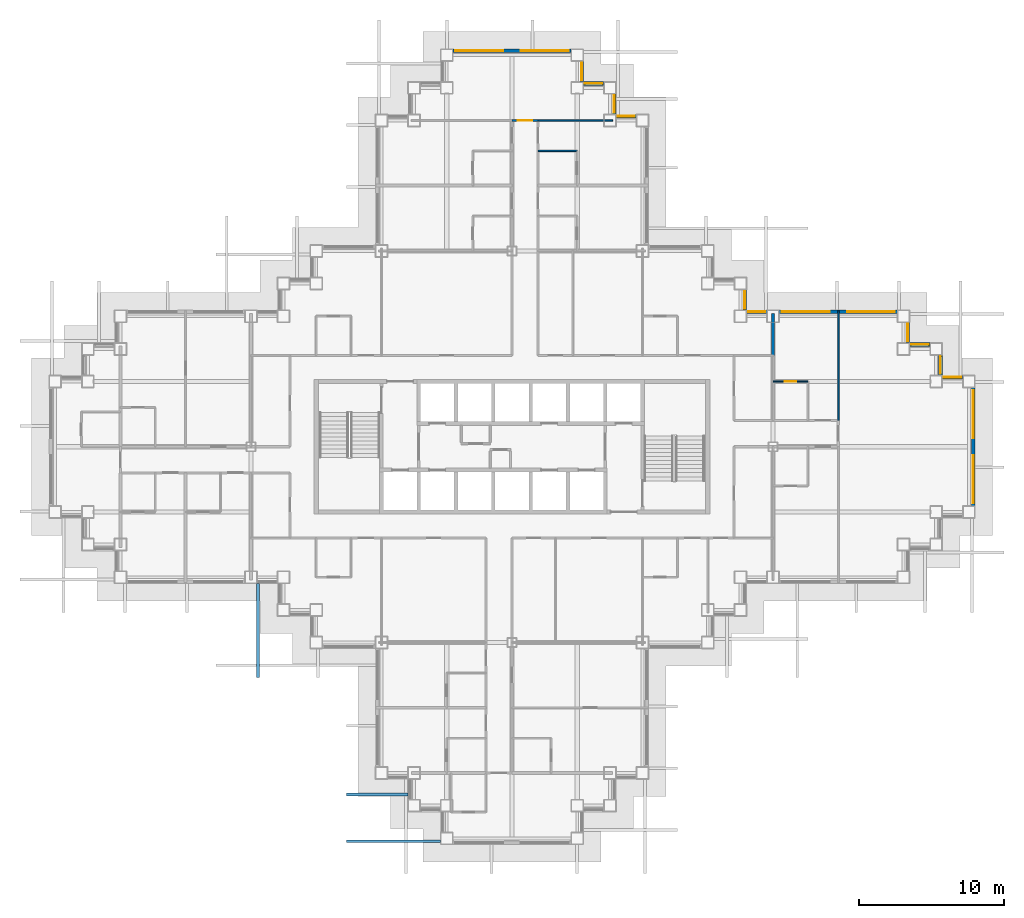
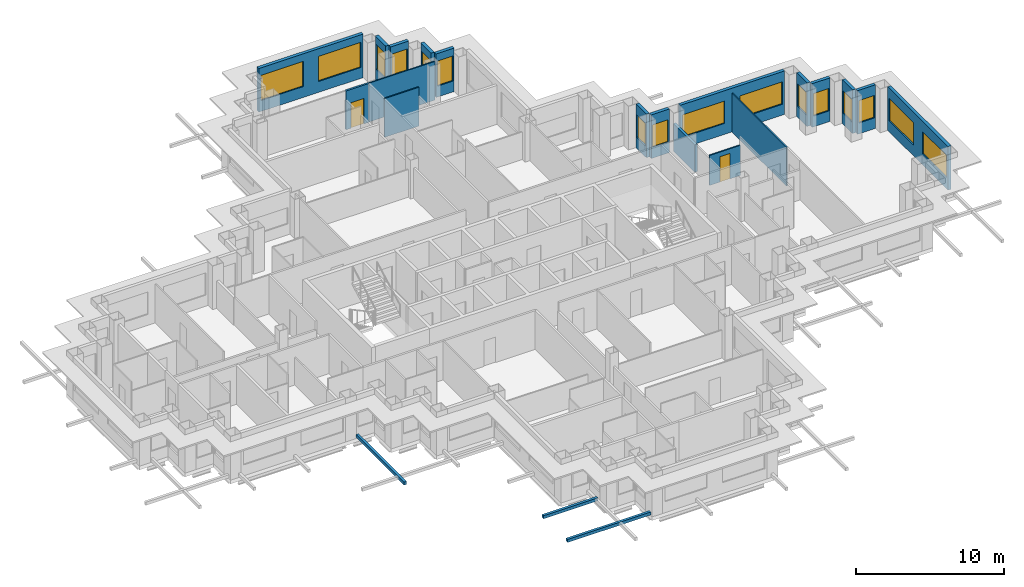
# One storey, part 11 of 17: 19 walls, 16 windows, 3 discrete accessories, 2 doors, 18 openings.
"""IFC4 building model written with IfcOpenShell, lengths in metres."""

from ifc_helpers import new_model, si_unit, direction, frame, frame_2d, origin, origin_2d, place, context, subcontext, project, spatial, rectangle, extrude, material, layer, layer_set, type_object, element, fill, save


model = new_model("IFC4")

# Units and contexts
model_context = context("Model", 3, precision=1e-05, world=origin(), true_north=direction((0.0, 1.0)))
body_context = subcontext(model_context, "Body", "Model", "MODEL_VIEW")
ifc_project = project(units=[si_unit("LENGTHUNIT", "METRE"), si_unit("AREAUNIT", "SQUARE_METRE"), si_unit("VOLUMEUNIT", "CUBIC_METRE"), si_unit("PLANEANGLEUNIT", "RADIAN"), si_unit("MASSUNIT", "GRAM", prefix="KILO")], contexts=[model_context])

# Site, building, storey
site_placement = place(None, origin())
site = spatial("IfcSite", under=ifc_project, at=site_placement, CompositionType="ELEMENT")
building_placement = place(site_placement, origin())
building = spatial("IfcBuilding", under=site, at=building_placement, Name="Caravel Reach Hotel and Residences", CompositionType="ELEMENT")
storey_placement = place(building_placement, frame((0.0, 0.0, 136.800048828125)))
storey = spatial("IfcBuildingStorey", under=building, at=storey_placement, Name="L34", CompositionType="ELEMENT", Elevation=136.800048828125)

# Wall, opening, door
ifc_material_1 = material(Name="Gypsum board on steel stud", Category="steel")
ifc_layer_1 = layer(ifc_material_1, 0.10009765625)
ifc_layer_set_1 = layer_set([ifc_layer_1], Name="Bathroom pod wall 100 mm")
wall_type_1 = type_object("IfcWallType", Name="Bathroom pod wall 100 mm", PredefinedType="PARTITIONING", material=ifc_layer_set_1)
wall_1_placement = place(storey_placement, frame((49.5, 31.5, 0.0), z_axis=(0.0, 0.0, 1.0), x_axis=(1.0, 0.0, 0.0)))
wall_1 = element("IfcWall", 1, at=wall_1_placement, inside=storey, type_object=wall_type_1, Name="L34 wall w091", PredefinedType="PARTITIONING", context=body_context, shape_type="SweptSolid", body=[
    extrude(rectangle(XDim=2.39990234375, YDim=0.10009765625, at=frame_2d((1.199951171875, 0.0))), origin(), (0.0, 0.0, 1.0), 2.47998046875),
])
opening_1_placement = place(wall_1_placement, frame((0.800048828125, 0.0, 0.0)))
opening_1 = element("IfcOpeningElement", 2, at=opening_1_placement, cuts=wall_1, Name="Opening D34-026", PredefinedType="OPENING", context=body_context, shape_type="SweptSolid", body=[
    extrude(rectangle(XDim=0.800048828125, YDim=2.10009765625, at=frame_2d((0.39990234375, 1.050048828125))), frame((0.0, 0.06005859375, 0.0), z_axis=(0.0, -1.0, 0.0), x_axis=(1.0, 0.0, 0.0)), (0.0, 0.0, 1.0), 0.1201171875),
])
ifc_material_2 = material(Name="Timber and steel door leaf", Category="steel")
door_type_1 = type_object("IfcDoorType", Name="Bathroom door 800 x 2100", OperationType="SINGLE_SWING_LEFT", PredefinedType="DOOR", material=ifc_material_2)
door_1_placement = place(opening_1_placement, origin())
door_1 = element("IfcDoor", 3, at=door_1_placement, inside=storey, type_object=door_type_1, Name="door D34-026", OperationType="SINGLE_SWING_RIGHT", OverallHeight=2.10009765625, OverallWidth=0.800048828125, PredefinedType="DOOR", context=body_context, shape_type="SweptSolid", body=[
    extrude(rectangle(XDim=0.800048828125, YDim=2.10009765625, at=frame_2d((0.39990234375, 1.050048828125))), frame((0.0, 0.02490234375, 0.0), z_axis=(0.0, -1.0, 0.0), x_axis=(1.0, 0.0, 0.0)), (0.0, 0.0, 1.0), 0.050048828125),
])
fill(opening_1, door_1)

# Wall
wall_2_placement = place(storey_placement, frame((33.300048828125, 47.39990234375, 0.0), z_axis=(0.0, 0.0, 1.0), x_axis=(1.0, 0.0, 0.0)))
element("IfcWall", 4, at=wall_2_placement, inside=storey, type_object=wall_type_1, Name="L34 wall w096", PredefinedType="PARTITIONING", context=body_context, shape_type="SweptSolid", body=[
    extrude(rectangle(XDim=2.699951171875, YDim=0.10009765625, at=frame_2d((1.35009765625, 0.0))), origin(), (0.0, 0.0, 1.0), 3.199951171875),
])

# Wall, opening, door
ifc_material_3 = material(Name="Gypsum board on steel stud, fire-rated", Category="steel")
ifc_layer_2 = layer(ifc_material_3, 0.14990234375)
ifc_layer_set_2 = layer_set([ifc_layer_2], Name="Corridor wall 150 mm EI 60")
wall_type_2 = type_object("IfcWallType", Name="Corridor wall 150 mm EI 60", PredefinedType="PARTITIONING", material=ifc_layer_set_2)
wall_3_placement = place(storey_placement, frame((31.5, 49.5, 0.0), z_axis=(0.0, 0.0, 1.0), x_axis=(1.0, 0.0, 0.0)))
wall_3 = element("IfcWall", 5, at=wall_3_placement, inside=storey, type_object=wall_type_2, Name="L34 wall w023", PredefinedType="PARTITIONING", context=body_context, shape_type="SweptSolid", body=[
    extrude(rectangle(XDim=1.800048828125, YDim=0.14990234375, at=frame_2d((0.89990234375, 0.0))), origin(), (0.0, 0.0, 1.0), 3.199951171875),
])
opening_2_placement = place(wall_3_placement, frame((0.39990234375, 0.0, 0.0)))
opening_2 = element("IfcOpeningElement", 6, at=opening_2_placement, cuts=wall_3, Name="Opening D34-045", PredefinedType="OPENING", context=body_context, shape_type="SweptSolid", body=[
    extrude(rectangle(XDim=1.0, YDim=2.10009765625, at=frame_2d((0.5, 1.050048828125))), frame((0.0, 0.0849609375, 0.0), z_axis=(0.0, -1.0, 0.0), x_axis=(1.0, 0.0, 0.0)), (0.0, 0.0, 1.0), 0.169921875),
])
ifc_material_4 = material(Name="Steel fire door leaf", Category="steel")
door_type_2 = type_object("IfcDoorType", Name="Guest room door 1000 x 2100 EI 30", OperationType="SINGLE_SWING_LEFT", PredefinedType="DOOR", material=ifc_material_4)
door_2_placement = place(opening_2_placement, origin())
door_2 = element("IfcDoor", 7, at=door_2_placement, inside=storey, type_object=door_type_2, Name="door D34-045", OperationType="SINGLE_SWING_RIGHT", OverallHeight=2.10009765625, OverallWidth=1.0, PredefinedType="DOOR", context=body_context, shape_type="SweptSolid", body=[
    extrude(rectangle(XDim=1.0, YDim=2.10009765625, at=frame_2d((0.5, 1.050048828125))), frame((0.0, 0.02490234375, 0.0), z_axis=(0.0, -1.0, 0.0), x_axis=(1.0, 0.0, 0.0)), (0.0, 0.0, 1.0), 0.050048828125),
])
fill(opening_2, door_2)

# Wall, openings, windows
ifc_material_5 = material(Name="Insulated rainscreen wall, aluminium cladding", Category="aluminium")
ifc_layer_3 = layer(ifc_material_5, 0.25)
ifc_layer_set_3 = layer_set([ifc_layer_3], Name="EW1 Tower rainscreen wall")
wall_type_3 = type_object("IfcWallType", Name="EW1 Tower rainscreen wall", PredefinedType="SOLIDWALL", material=ifc_layer_set_3)
wall_4_placement = place(storey_placement, frame((63.300048828125, 22.925048828125, 0.0), z_axis=(0.0, 0.0, 1.0), x_axis=(0.0, 1.0, 0.0)))
wall_4 = element("IfcWall", 8, at=wall_4_placement, inside=storey, type_object=wall_type_3, Name="External wall L34 E20.1", PredefinedType="SOLIDWALL", context=body_context, shape_type="SweptSolid", body=[
    extrude(rectangle(XDim=8.14990234375, YDim=0.25, at=frame_2d((4.074951171875, 0.0))), origin(), (0.0, 0.0, 1.0), 3.599853515625),
])
opening_3_placement = place(wall_4_placement, frame((0.175048828125, 0.0, 0.89990234375)))
opening_3 = element("IfcOpeningElement", 9, at=opening_3_placement, cuts=wall_4, Name="Opening WN7", PredefinedType="OPENING", context=body_context, shape_type="SweptSolid", body=[
    extrude(rectangle(XDim=3.300048828125, YDim=1.85009765625, at=frame_2d((1.64990234375, 0.925048828125))), frame((0.0, 0.135009765625, 0.0), z_axis=(0.0, -1.0, 0.0), x_axis=(1.0, 0.0, 0.0)), (0.0, 0.0, 1.0), 0.27001953125),
])
opening_4_placement = place(wall_4_placement, frame((4.675048828125, 0.0, 0.89990234375)))
opening_4 = element("IfcOpeningElement", 10, at=opening_4_placement, cuts=wall_4, Name="Opening WN7", PredefinedType="OPENING", context=body_context, shape_type="SweptSolid", body=[
    extrude(rectangle(XDim=3.300048828125, YDim=1.85009765625, at=frame_2d((1.64990234375, 0.925048828125))), frame((0.0, 0.135009765625, 0.0), z_axis=(0.0, -1.0, 0.0), x_axis=(1.0, 0.0, 0.0)), (0.0, 0.0, 1.0), 0.27001953125),
])
ifc_material_6 = material(Name="Dark low-e glazing in black aluminium frame", Category="aluminium")
window_type_1 = type_object("IfcWindowType", Name="Hotel guest room window 3300 x 1850", PartitioningType="SINGLE_PANEL", PredefinedType="WINDOW", material=ifc_material_6)
window_1_placement = place(opening_3_placement, origin())
window_1 = element("IfcWindow", 11, at=window_1_placement, inside=storey, type_object=window_type_1, Name="Window L34 E20.1.1", OverallHeight=1.85009765625, OverallWidth=3.300048828125, PartitioningType="SINGLE_PANEL", PredefinedType="WINDOW", context=body_context, shape_type="SweptSolid", body=[
    extrude(rectangle(XDim=3.300048828125, YDim=1.85009765625, at=frame_2d((1.64990234375, 0.925048828125))), frame((0.0, 0.030029296875, 0.0), z_axis=(0.0, -1.0, 0.0), x_axis=(1.0, 0.0, 0.0)), (0.0, 0.0, 1.0), 0.06005859375),
])
fill(opening_3, window_1)
window_2_placement = place(opening_4_placement, origin())
window_2 = element("IfcWindow", 12, at=window_2_placement, inside=storey, type_object=window_type_1, Name="Window L34 E20.1.2", OverallHeight=1.85009765625, OverallWidth=3.300048828125, PartitioningType="SINGLE_PANEL", PredefinedType="WINDOW", context=body_context, shape_type="SweptSolid", body=[
    extrude(rectangle(XDim=3.300048828125, YDim=1.85009765625, at=frame_2d((1.64990234375, 0.925048828125))), frame((0.0, 0.030029296875, 0.0), z_axis=(0.0, -1.0, 0.0), x_axis=(1.0, 0.0, 0.0)), (0.0, 0.0, 1.0), 0.06005859375),
])
fill(opening_4, window_2)

# Wall, opening, window
wall_5_placement = place(storey_placement, frame((62.574951171875, 31.800048828125, 0.0), z_axis=(0.0, 0.0, 1.0), x_axis=(-1.0, 0.0, 0.0)))
wall_5 = element("IfcWall", 13, at=wall_5_placement, inside=storey, type_object=wall_type_3, Name="External wall L34 N21.1", PredefinedType="SOLIDWALL", context=body_context, shape_type="SweptSolid", body=[
    extrude(rectangle(XDim=1.39990234375, YDim=0.25, at=frame_2d((0.699951171875, 0.0))), origin(), (0.0, 0.0, 1.0), 3.599853515625),
])
opening_5_placement = place(wall_5_placement, frame((0.10009765625, 0.0, 0.89990234375)))
opening_5 = element("IfcOpeningElement", 14, at=opening_5_placement, cuts=wall_5, Name="Opening WN10", PredefinedType="OPENING", context=body_context, shape_type="SweptSolid", body=[
    extrude(rectangle(XDim=1.199951171875, YDim=1.85009765625, at=frame_2d((0.60009765625, 0.925048828125))), frame((0.0, 0.135009765625, 0.0), z_axis=(0.0, -1.0, 0.0), x_axis=(1.0, 0.0, 0.0)), (0.0, 0.0, 1.0), 0.27001953125),
])
ifc_material_7 = material(Name="Dark low-e glazing in black aluminium frame", Category="aluminium")
window_type_2 = type_object("IfcWindowType", Name="Hotel suite corner window 1200 x 1850", PartitioningType="SINGLE_PANEL", PredefinedType="WINDOW", material=ifc_material_7)
window_3_placement = place(opening_5_placement, origin())
window_3 = element("IfcWindow", 15, at=window_3_placement, inside=storey, type_object=window_type_2, Name="Window L34 N21.1.1", OverallHeight=1.85009765625, OverallWidth=1.199951171875, PartitioningType="SINGLE_PANEL", PredefinedType="WINDOW", context=body_context, shape_type="SweptSolid", body=[
    extrude(rectangle(XDim=1.199951171875, YDim=1.85009765625, at=frame_2d((0.60009765625, 0.925048828125))), frame((0.0, 0.030029296875, 0.0), z_axis=(0.0, -1.0, 0.0), x_axis=(1.0, 0.0, 0.0)), (0.0, 0.0, 1.0), 0.06005859375),
])
fill(opening_5, window_3)

wall_6_placement = place(storey_placement, frame((61.050048828125, 31.925048828125, 0.0), z_axis=(0.0, 0.0, 1.0), x_axis=(0.0, 1.0, 0.0)))
wall_6 = element("IfcWall", 16, at=wall_6_placement, inside=storey, type_object=wall_type_3, Name="External wall L34 E22.1", PredefinedType="SOLIDWALL", context=body_context, shape_type="SweptSolid", body=[
    extrude(rectangle(XDim=1.39990234375, YDim=0.25, at=frame_2d((0.699951171875, 0.0))), origin(), (0.0, 0.0, 1.0), 3.599853515625),
])
opening_6_placement = place(wall_6_placement, frame((0.10009765625, 0.0, 0.89990234375)))
opening_6 = element("IfcOpeningElement", 17, at=opening_6_placement, cuts=wall_6, Name="Opening WN10", PredefinedType="OPENING", context=body_context, shape_type="SweptSolid", body=[
    extrude(rectangle(XDim=1.199951171875, YDim=1.85009765625, at=frame_2d((0.60009765625, 0.925048828125))), frame((0.0, 0.135009765625, 0.0), z_axis=(0.0, -1.0, 0.0), x_axis=(1.0, 0.0, 0.0)), (0.0, 0.0, 1.0), 0.27001953125),
])
window_4_placement = place(opening_6_placement, origin())
window_4 = element("IfcWindow", 18, at=window_4_placement, inside=storey, type_object=window_type_2, Name="Window L34 E22.1.1", OverallHeight=1.85009765625, OverallWidth=1.199951171875, PartitioningType="SINGLE_PANEL", PredefinedType="WINDOW", context=body_context, shape_type="SweptSolid", body=[
    extrude(rectangle(XDim=1.199951171875, YDim=1.85009765625, at=frame_2d((0.60009765625, 0.925048828125))), frame((0.0, 0.030029296875, 0.0), z_axis=(0.0, -1.0, 0.0), x_axis=(1.0, 0.0, 0.0)), (0.0, 0.0, 1.0), 0.06005859375),
])
fill(opening_6, window_4)

wall_7_placement = place(storey_placement, frame((60.324951171875, 34.050048828125, 0.0), z_axis=(0.0, 0.0, 1.0), x_axis=(-1.0, 0.0, 0.0)))
wall_7 = element("IfcWall", 19, at=wall_7_placement, inside=storey, type_object=wall_type_3, Name="External wall L34 N23.1", PredefinedType="SOLIDWALL", context=body_context, shape_type="SweptSolid", body=[
    extrude(rectangle(XDim=1.39990234375, YDim=0.25, at=frame_2d((0.699951171875, 0.0))), origin(), (0.0, 0.0, 1.0), 3.599853515625),
])
opening_7_placement = place(wall_7_placement, frame((0.10009765625, 0.0, 0.89990234375)))
opening_7 = element("IfcOpeningElement", 20, at=opening_7_placement, cuts=wall_7, Name="Opening WN10", PredefinedType="OPENING", context=body_context, shape_type="SweptSolid", body=[
    extrude(rectangle(XDim=1.199951171875, YDim=1.85009765625, at=frame_2d((0.60009765625, 0.925048828125))), frame((0.0, 0.135009765625, 0.0), z_axis=(0.0, -1.0, 0.0), x_axis=(1.0, 0.0, 0.0)), (0.0, 0.0, 1.0), 0.27001953125),
])
window_5_placement = place(opening_7_placement, origin())
window_5 = element("IfcWindow", 21, at=window_5_placement, inside=storey, type_object=window_type_2, Name="Window L34 N23.1.1", OverallHeight=1.85009765625, OverallWidth=1.199951171875, PartitioningType="SINGLE_PANEL", PredefinedType="WINDOW", context=body_context, shape_type="SweptSolid", body=[
    extrude(rectangle(XDim=1.199951171875, YDim=1.85009765625, at=frame_2d((0.60009765625, 0.925048828125))), frame((0.0, 0.030029296875, 0.0), z_axis=(0.0, -1.0, 0.0), x_axis=(1.0, 0.0, 0.0)), (0.0, 0.0, 1.0), 0.06005859375),
])
fill(opening_7, window_5)

wall_8_placement = place(storey_placement, frame((58.800048828125, 34.175048828125, 0.0), z_axis=(0.0, 0.0, 1.0), x_axis=(0.0, 1.0, 0.0)))
wall_8 = element("IfcWall", 22, at=wall_8_placement, inside=storey, type_object=wall_type_3, Name="External wall L34 E24.1", PredefinedType="SOLIDWALL", context=body_context, shape_type="SweptSolid", body=[
    extrude(rectangle(XDim=1.39990234375, YDim=0.25, at=frame_2d((0.699951171875, 0.0))), origin(), (0.0, 0.0, 1.0), 3.599853515625),
])
opening_8_placement = place(wall_8_placement, frame((0.10009765625, 0.0, 0.89990234375)))
opening_8 = element("IfcOpeningElement", 23, at=opening_8_placement, cuts=wall_8, Name="Opening WN10", PredefinedType="OPENING", context=body_context, shape_type="SweptSolid", body=[
    extrude(rectangle(XDim=1.199951171875, YDim=1.85009765625, at=frame_2d((0.60009765625, 0.925048828125))), frame((0.0, 0.135009765625, 0.0), z_axis=(0.0, -1.0, 0.0), x_axis=(1.0, 0.0, 0.0)), (0.0, 0.0, 1.0), 0.27001953125),
])
window_6_placement = place(opening_8_placement, origin())
window_6 = element("IfcWindow", 24, at=window_6_placement, inside=storey, type_object=window_type_2, Name="Window L34 E24.1.1", OverallHeight=1.85009765625, OverallWidth=1.199951171875, PartitioningType="SINGLE_PANEL", PredefinedType="WINDOW", context=body_context, shape_type="SweptSolid", body=[
    extrude(rectangle(XDim=1.199951171875, YDim=1.85009765625, at=frame_2d((0.60009765625, 0.925048828125))), frame((0.0, 0.030029296875, 0.0), z_axis=(0.0, -1.0, 0.0), x_axis=(1.0, 0.0, 0.0)), (0.0, 0.0, 1.0), 0.06005859375),
])
fill(opening_8, window_6)

# Wall, openings, windows
wall_9_placement = place(storey_placement, frame((58.074951171875, 36.300048828125, 0.0), z_axis=(0.0, 0.0, 1.0), x_axis=(-1.0, 0.0, 0.0)))
wall_9 = element("IfcWall", 25, at=wall_9_placement, inside=storey, type_object=wall_type_3, Name="External wall L34 N25.1", PredefinedType="SOLIDWALL", context=body_context, shape_type="SweptSolid", body=[
    extrude(rectangle(XDim=8.14990234375, YDim=0.25, at=frame_2d((4.074951171875, 0.0))), origin(), (0.0, 0.0, 1.0), 3.599853515625),
])
opening_9_placement = place(wall_9_placement, frame((0.175048828125, 0.0, 0.89990234375)))
opening_9 = element("IfcOpeningElement", 26, at=opening_9_placement, cuts=wall_9, Name="Opening WN7", PredefinedType="OPENING", context=body_context, shape_type="SweptSolid", body=[
    extrude(rectangle(XDim=3.300048828125, YDim=1.85009765625, at=frame_2d((1.64990234375, 0.925048828125))), frame((0.0, 0.135009765625, 0.0), z_axis=(0.0, -1.0, 0.0), x_axis=(1.0, 0.0, 0.0)), (0.0, 0.0, 1.0), 0.27001953125),
])
opening_10_placement = place(wall_9_placement, frame((4.675048828125, 0.0, 0.89990234375)))
opening_10 = element("IfcOpeningElement", 27, at=opening_10_placement, cuts=wall_9, Name="Opening WN7", PredefinedType="OPENING", context=body_context, shape_type="SweptSolid", body=[
    extrude(rectangle(XDim=3.300048828125, YDim=1.85009765625, at=frame_2d((1.64990234375, 0.925048828125))), frame((0.0, 0.135009765625, 0.0), z_axis=(0.0, -1.0, 0.0), x_axis=(1.0, 0.0, 0.0)), (0.0, 0.0, 1.0), 0.27001953125),
])
window_7_placement = place(opening_9_placement, origin())
window_7 = element("IfcWindow", 28, at=window_7_placement, inside=storey, type_object=window_type_1, Name="Window L34 N25.1.1", OverallHeight=1.85009765625, OverallWidth=3.300048828125, PartitioningType="SINGLE_PANEL", PredefinedType="WINDOW", context=body_context, shape_type="SweptSolid", body=[
    extrude(rectangle(XDim=3.300048828125, YDim=1.85009765625, at=frame_2d((1.64990234375, 0.925048828125))), frame((0.0, 0.030029296875, 0.0), z_axis=(0.0, -1.0, 0.0), x_axis=(1.0, 0.0, 0.0)), (0.0, 0.0, 1.0), 0.06005859375),
])
fill(opening_9, window_7)
window_8_placement = place(opening_10_placement, origin())
window_8 = element("IfcWindow", 29, at=window_8_placement, inside=storey, type_object=window_type_1, Name="Window L34 N25.1.2", OverallHeight=1.85009765625, OverallWidth=3.300048828125, PartitioningType="SINGLE_PANEL", PredefinedType="WINDOW", context=body_context, shape_type="SweptSolid", body=[
    extrude(rectangle(XDim=3.300048828125, YDim=1.85009765625, at=frame_2d((1.64990234375, 0.925048828125))), frame((0.0, 0.030029296875, 0.0), z_axis=(0.0, -1.0, 0.0), x_axis=(1.0, 0.0, 0.0)), (0.0, 0.0, 1.0), 0.06005859375),
])
fill(opening_10, window_8)

# Wall, opening, window
wall_10_placement = place(storey_placement, frame((49.074951171875, 36.300048828125, 0.0), z_axis=(0.0, 0.0, 1.0), x_axis=(-1.0, 0.0, 0.0)))
wall_10 = element("IfcWall", 30, at=wall_10_placement, inside=storey, type_object=wall_type_3, Name="External wall L34 N25.2", PredefinedType="SOLIDWALL", context=body_context, shape_type="SweptSolid", body=[
    extrude(rectangle(XDim=1.39990234375, YDim=0.25, at=frame_2d((0.699951171875, 0.0))), origin(), (0.0, 0.0, 1.0), 3.599853515625),
])
opening_11_placement = place(wall_10_placement, frame((0.10009765625, 0.0, 0.89990234375)))
opening_11 = element("IfcOpeningElement", 31, at=opening_11_placement, cuts=wall_10, Name="Opening WN10", PredefinedType="OPENING", context=body_context, shape_type="SweptSolid", body=[
    extrude(rectangle(XDim=1.199951171875, YDim=1.85009765625, at=frame_2d((0.60009765625, 0.925048828125))), frame((0.0, 0.135009765625, 0.0), z_axis=(0.0, -1.0, 0.0), x_axis=(1.0, 0.0, 0.0)), (0.0, 0.0, 1.0), 0.27001953125),
])
window_9_placement = place(opening_11_placement, origin())
window_9 = element("IfcWindow", 32, at=window_9_placement, inside=storey, type_object=window_type_2, Name="Window L34 N25.2.1", OverallHeight=1.85009765625, OverallWidth=1.199951171875, PartitioningType="SINGLE_PANEL", PredefinedType="WINDOW", context=body_context, shape_type="SweptSolid", body=[
    extrude(rectangle(XDim=1.199951171875, YDim=1.85009765625, at=frame_2d((0.60009765625, 0.925048828125))), frame((0.0, 0.030029296875, 0.0), z_axis=(0.0, -1.0, 0.0), x_axis=(1.0, 0.0, 0.0)), (0.0, 0.0, 1.0), 0.06005859375),
])
fill(opening_11, window_9)

wall_11_placement = place(storey_placement, frame((47.550048828125, 36.425048828125, 0.0), z_axis=(0.0, 0.0, 1.0), x_axis=(0.0, 1.0, 0.0)))
wall_11 = element("IfcWall", 33, at=wall_11_placement, inside=storey, type_object=wall_type_3, Name="External wall L34 E26.1", PredefinedType="SOLIDWALL", context=body_context, shape_type="SweptSolid", body=[
    extrude(rectangle(XDim=1.39990234375, YDim=0.25, at=frame_2d((0.699951171875, 0.0))), origin(), (0.0, 0.0, 1.0), 3.599853515625),
])
opening_12_placement = place(wall_11_placement, frame((0.10009765625, 0.0, 0.89990234375)))
opening_12 = element("IfcOpeningElement", 34, at=opening_12_placement, cuts=wall_11, Name="Opening WN10", PredefinedType="OPENING", context=body_context, shape_type="SweptSolid", body=[
    extrude(rectangle(XDim=1.199951171875, YDim=1.85009765625, at=frame_2d((0.60009765625, 0.925048828125))), frame((0.0, 0.135009765625, 0.0), z_axis=(0.0, -1.0, 0.0), x_axis=(1.0, 0.0, 0.0)), (0.0, 0.0, 1.0), 0.27001953125),
])
window_10_placement = place(opening_12_placement, origin())
window_10 = element("IfcWindow", 35, at=window_10_placement, inside=storey, type_object=window_type_2, Name="Window L34 E26.1.1", OverallHeight=1.85009765625, OverallWidth=1.199951171875, PartitioningType="SINGLE_PANEL", PredefinedType="WINDOW", context=body_context, shape_type="SweptSolid", body=[
    extrude(rectangle(XDim=1.199951171875, YDim=1.85009765625, at=frame_2d((0.60009765625, 0.925048828125))), frame((0.0, 0.030029296875, 0.0), z_axis=(0.0, -1.0, 0.0), x_axis=(1.0, 0.0, 0.0)), (0.0, 0.0, 1.0), 0.06005859375),
])
fill(opening_12, window_10)

wall_12_placement = place(storey_placement, frame((40.074951171875, 49.800048828125, 0.0), z_axis=(0.0, 0.0, 1.0), x_axis=(-1.0, 0.0, 0.0)))
wall_12 = element("IfcWall", 36, at=wall_12_placement, inside=storey, type_object=wall_type_3, Name="External wall L34 N31.1", PredefinedType="SOLIDWALL", context=body_context, shape_type="SweptSolid", body=[
    extrude(rectangle(XDim=1.39990234375, YDim=0.25, at=frame_2d((0.699951171875, 0.0))), origin(), (0.0, 0.0, 1.0), 3.599853515625),
])
opening_13_placement = place(wall_12_placement, frame((0.10009765625, 0.0, 0.89990234375)))
opening_13 = element("IfcOpeningElement", 37, at=opening_13_placement, cuts=wall_12, Name="Opening WN9", PredefinedType="OPENING", context=body_context, shape_type="SweptSolid", body=[
    extrude(rectangle(XDim=1.199951171875, YDim=2.080078125, at=frame_2d((0.60009765625, 1.0400390625))), frame((0.0, 0.135009765625, 0.0), z_axis=(0.0, -1.0, 0.0), x_axis=(1.0, 0.0, 0.0)), (0.0, 0.0, 1.0), 0.27001953125),
])
ifc_material_8 = material(Name="Dark low-e glazing in black aluminium frame", Category="aluminium")
window_type_3 = type_object("IfcWindowType", Name="Hotel suite corner window 1200 x 2080", PartitioningType="SINGLE_PANEL", PredefinedType="WINDOW", material=ifc_material_8)
window_11_placement = place(opening_13_placement, origin())
window_11 = element("IfcWindow", 38, at=window_11_placement, inside=storey, type_object=window_type_3, Name="Window L34 N31.1.1", OverallHeight=2.080078125, OverallWidth=1.199951171875, PartitioningType="SINGLE_PANEL", PredefinedType="WINDOW", context=body_context, shape_type="SweptSolid", body=[
    extrude(rectangle(XDim=1.199951171875, YDim=2.080078125, at=frame_2d((0.60009765625, 1.0400390625))), frame((0.0, 0.030029296875, 0.0), z_axis=(0.0, -1.0, 0.0), x_axis=(1.0, 0.0, 0.0)), (0.0, 0.0, 1.0), 0.06005859375),
])
fill(opening_13, window_11)

wall_13_placement = place(storey_placement, frame((38.550048828125, 49.925048828125, 0.0), z_axis=(0.0, 0.0, 1.0), x_axis=(0.0, 1.0, 0.0)))
wall_13 = element("IfcWall", 39, at=wall_13_placement, inside=storey, type_object=wall_type_3, Name="External wall L34 E32.1", PredefinedType="SOLIDWALL", context=body_context, shape_type="SweptSolid", body=[
    extrude(rectangle(XDim=1.39990234375, YDim=0.25, at=frame_2d((0.699951171875, 0.0))), origin(), (0.0, 0.0, 1.0), 3.599853515625),
])
opening_14_placement = place(wall_13_placement, frame((0.10009765625, 0.0, 0.89990234375)))
opening_14 = element("IfcOpeningElement", 40, at=opening_14_placement, cuts=wall_13, Name="Opening WN9", PredefinedType="OPENING", context=body_context, shape_type="SweptSolid", body=[
    extrude(rectangle(XDim=1.199951171875, YDim=2.080078125, at=frame_2d((0.60009765625, 1.0400390625))), frame((0.0, 0.135009765625, 0.0), z_axis=(0.0, -1.0, 0.0), x_axis=(1.0, 0.0, 0.0)), (0.0, 0.0, 1.0), 0.27001953125),
])
window_12_placement = place(opening_14_placement, origin())
window_12 = element("IfcWindow", 41, at=window_12_placement, inside=storey, type_object=window_type_3, Name="Window L34 E32.1.1", OverallHeight=2.080078125, OverallWidth=1.199951171875, PartitioningType="SINGLE_PANEL", PredefinedType="WINDOW", context=body_context, shape_type="SweptSolid", body=[
    extrude(rectangle(XDim=1.199951171875, YDim=2.080078125, at=frame_2d((0.60009765625, 1.0400390625))), frame((0.0, 0.030029296875, 0.0), z_axis=(0.0, -1.0, 0.0), x_axis=(1.0, 0.0, 0.0)), (0.0, 0.0, 1.0), 0.06005859375),
])
fill(opening_14, window_12)

wall_14_placement = place(storey_placement, frame((37.824951171875, 52.050048828125, 0.0), z_axis=(0.0, 0.0, 1.0), x_axis=(-1.0, 0.0, 0.0)))
wall_14 = element("IfcWall", 42, at=wall_14_placement, inside=storey, type_object=wall_type_3, Name="External wall L34 N33.1", PredefinedType="SOLIDWALL", context=body_context, shape_type="SweptSolid", body=[
    extrude(rectangle(XDim=1.39990234375, YDim=0.25, at=frame_2d((0.699951171875, 0.0))), origin(), (0.0, 0.0, 1.0), 3.599853515625),
])
opening_15_placement = place(wall_14_placement, frame((0.10009765625, 0.0, 0.89990234375)))
opening_15 = element("IfcOpeningElement", 43, at=opening_15_placement, cuts=wall_14, Name="Opening WN9", PredefinedType="OPENING", context=body_context, shape_type="SweptSolid", body=[
    extrude(rectangle(XDim=1.199951171875, YDim=2.080078125, at=frame_2d((0.60009765625, 1.0400390625))), frame((0.0, 0.135009765625, 0.0), z_axis=(0.0, -1.0, 0.0), x_axis=(1.0, 0.0, 0.0)), (0.0, 0.0, 1.0), 0.27001953125),
])
window_13_placement = place(opening_15_placement, origin())
window_13 = element("IfcWindow", 44, at=window_13_placement, inside=storey, type_object=window_type_3, Name="Window L34 N33.1.1", OverallHeight=2.080078125, OverallWidth=1.199951171875, PartitioningType="SINGLE_PANEL", PredefinedType="WINDOW", context=body_context, shape_type="SweptSolid", body=[
    extrude(rectangle(XDim=1.199951171875, YDim=2.080078125, at=frame_2d((0.60009765625, 1.0400390625))), frame((0.0, 0.030029296875, 0.0), z_axis=(0.0, -1.0, 0.0), x_axis=(1.0, 0.0, 0.0)), (0.0, 0.0, 1.0), 0.06005859375),
])
fill(opening_15, window_13)

wall_15_placement = place(storey_placement, frame((36.300048828125, 52.175048828125, 0.0), z_axis=(0.0, 0.0, 1.0), x_axis=(0.0, 1.0, 0.0)))
wall_15 = element("IfcWall", 45, at=wall_15_placement, inside=storey, type_object=wall_type_3, Name="External wall L34 E34.1", PredefinedType="SOLIDWALL", context=body_context, shape_type="SweptSolid", body=[
    extrude(rectangle(XDim=1.39990234375, YDim=0.25, at=frame_2d((0.699951171875, 0.0))), origin(), (0.0, 0.0, 1.0), 3.599853515625),
])
opening_16_placement = place(wall_15_placement, frame((0.10009765625, 0.0, 0.89990234375)))
opening_16 = element("IfcOpeningElement", 46, at=opening_16_placement, cuts=wall_15, Name="Opening WN9", PredefinedType="OPENING", context=body_context, shape_type="SweptSolid", body=[
    extrude(rectangle(XDim=1.199951171875, YDim=2.080078125, at=frame_2d((0.60009765625, 1.0400390625))), frame((0.0, 0.135009765625, 0.0), z_axis=(0.0, -1.0, 0.0), x_axis=(1.0, 0.0, 0.0)), (0.0, 0.0, 1.0), 0.27001953125),
])
window_14_placement = place(opening_16_placement, origin())
window_14 = element("IfcWindow", 47, at=window_14_placement, inside=storey, type_object=window_type_3, Name="Window L34 E34.1.1", OverallHeight=2.080078125, OverallWidth=1.199951171875, PartitioningType="SINGLE_PANEL", PredefinedType="WINDOW", context=body_context, shape_type="SweptSolid", body=[
    extrude(rectangle(XDim=1.199951171875, YDim=2.080078125, at=frame_2d((0.60009765625, 1.0400390625))), frame((0.0, 0.030029296875, 0.0), z_axis=(0.0, -1.0, 0.0), x_axis=(1.0, 0.0, 0.0)), (0.0, 0.0, 1.0), 0.06005859375),
])
fill(opening_16, window_14)

# Wall, openings, windows
wall_16_placement = place(storey_placement, frame((35.574951171875, 54.300048828125, 0.0), z_axis=(0.0, 0.0, 1.0), x_axis=(-1.0, 0.0, 0.0)))
wall_16 = element("IfcWall", 48, at=wall_16_placement, inside=storey, type_object=wall_type_3, Name="External wall L34 N35.1", PredefinedType="SOLIDWALL", context=body_context, shape_type="SweptSolid", body=[
    extrude(rectangle(XDim=8.14990234375, YDim=0.25, at=frame_2d((4.074951171875, 0.0))), origin(), (0.0, 0.0, 1.0), 3.599853515625),
])
opening_17_placement = place(wall_16_placement, frame((0.175048828125, 0.0, 0.89990234375)))
opening_17 = element("IfcOpeningElement", 49, at=opening_17_placement, cuts=wall_16, Name="Opening WN4", PredefinedType="OPENING", context=body_context, shape_type="SweptSolid", body=[
    extrude(rectangle(XDim=3.300048828125, YDim=2.080078125, at=frame_2d((1.64990234375, 1.0400390625))), frame((0.0, 0.135009765625, 0.0), z_axis=(0.0, -1.0, 0.0), x_axis=(1.0, 0.0, 0.0)), (0.0, 0.0, 1.0), 0.27001953125),
])
opening_18_placement = place(wall_16_placement, frame((4.675048828125, 0.0, 0.89990234375)))
opening_18 = element("IfcOpeningElement", 50, at=opening_18_placement, cuts=wall_16, Name="Opening WN4", PredefinedType="OPENING", context=body_context, shape_type="SweptSolid", body=[
    extrude(rectangle(XDim=3.300048828125, YDim=2.080078125, at=frame_2d((1.64990234375, 1.0400390625))), frame((0.0, 0.135009765625, 0.0), z_axis=(0.0, -1.0, 0.0), x_axis=(1.0, 0.0, 0.0)), (0.0, 0.0, 1.0), 0.27001953125),
])
ifc_material_9 = material(Name="Dark low-e glazing in black aluminium frame", Category="aluminium")
window_type_4 = type_object("IfcWindowType", Name="Hotel guest room window 3300 x 2080", PartitioningType="SINGLE_PANEL", PredefinedType="WINDOW", material=ifc_material_9)
window_15_placement = place(opening_17_placement, origin())
window_15 = element("IfcWindow", 51, at=window_15_placement, inside=storey, type_object=window_type_4, Name="Window L34 N35.1.1", OverallHeight=2.080078125, OverallWidth=3.300048828125, PartitioningType="SINGLE_PANEL", PredefinedType="WINDOW", context=body_context, shape_type="SweptSolid", body=[
    extrude(rectangle(XDim=3.300048828125, YDim=2.080078125, at=frame_2d((1.64990234375, 1.0400390625))), frame((0.0, 0.030029296875, 0.0), z_axis=(0.0, -1.0, 0.0), x_axis=(1.0, 0.0, 0.0)), (0.0, 0.0, 1.0), 0.06005859375),
])
fill(opening_17, window_15)
window_16_placement = place(opening_18_placement, origin())
window_16 = element("IfcWindow", 52, at=window_16_placement, inside=storey, type_object=window_type_4, Name="Window L34 N35.1.2", OverallHeight=2.080078125, OverallWidth=3.300048828125, PartitioningType="SINGLE_PANEL", PredefinedType="WINDOW", context=body_context, shape_type="SweptSolid", body=[
    extrude(rectangle(XDim=3.300048828125, YDim=2.080078125, at=frame_2d((1.64990234375, 1.0400390625))), frame((0.0, 0.030029296875, 0.0), z_axis=(0.0, -1.0, 0.0), x_axis=(1.0, 0.0, 0.0)), (0.0, 0.0, 1.0), 0.06005859375),
])
fill(opening_18, window_16)

# Walls
ifc_material_10 = material(Name="Gypsum board on steel stud", Category="steel")
ifc_layer_4 = layer(ifc_material_10, 0.10009765625)
ifc_layer_set_4 = layer_set([ifc_layer_4], Name="Partition 100 mm")
wall_type_4 = type_object("IfcWallType", Name="Partition 100 mm", PredefinedType="PARTITIONING", material=ifc_layer_set_4)
wall_17_placement = place(storey_placement, frame((33.300048828125, 49.5, 0.0), z_axis=(0.0, 0.0, 1.0), x_axis=(1.0, 0.0, 0.0)))
element("IfcWall", 53, at=wall_17_placement, inside=storey, type_object=wall_type_4, Name="L34 wall w052", PredefinedType="PARTITIONING", context=body_context, shape_type="SweptSolid", body=[
    extrude(rectangle(XDim=5.139892578125, YDim=0.10009765625, at=frame_2d((2.56982421875, 0.0))), origin(), (0.0, 0.0, 1.0), 3.199951171875),
])
wall_18_placement = place(storey_placement, frame((54.0, 28.800048828125, 0.0), z_axis=(0.0, 0.0, 1.0), x_axis=(0.0, 1.0, 0.0)))
element("IfcWall", 54, at=wall_18_placement, inside=storey, type_object=wall_type_4, Name="L34 wall w067", PredefinedType="PARTITIONING", context=body_context, shape_type="SweptSolid", body=[
    extrude(rectangle(XDim=7.56494140625, YDim=0.10009765625, at=frame_2d((3.782470703125, 0.0))), origin(), (0.0, 0.0, 1.0), 3.199951171875),
])
ifc_material_11 = material(Name="Autoclaved aerated block wall")
ifc_layer_5 = layer(ifc_material_11, 0.199951171875)
ifc_layer_set_5 = layer_set([ifc_layer_5], Name="Party wall 200 mm EI 60")
wall_type_5 = type_object("IfcWallType", Name="Party wall 200 mm EI 60", PredefinedType="PARTITIONING", material=ifc_layer_set_5)
wall_19_placement = place(storey_placement, frame((49.5, 33.300048828125, 0.0), z_axis=(0.0, 0.0, 1.0), x_axis=(0.0, 1.0, 0.0)))
element("IfcWall", 55, at=wall_19_placement, inside=storey, type_object=wall_type_5, Name="L34 wall w079", PredefinedType="PARTITIONING", context=body_context, shape_type="SweptSolid", body=[
    extrude(rectangle(XDim=2.889892578125, YDim=0.199951171875, at=frame_2d((1.44482421875, 0.0))), origin(), (0.0, 0.0, 1.0), 2.280029296875),
])

# Discrete accessories
ifc_material_12 = material(Name="Black powder-coated aluminium", Category="aluminium")
discrete_accessory_type = type_object("IfcDiscreteAccessoryType", Name="BR1 Screen bracket", PredefinedType="BRACKET", material=ifc_material_12)
discrete_accessory_placement = place(storey_placement, frame((22.199951171875, 3.0283203125, 0.099853515625), z_axis=(0.0, 0.0, 1.0), x_axis=(-1.0, 0.0, 0.0)))
element("IfcDiscreteAccessory", 56, at=discrete_accessory_placement, inside=storey, type_object=discrete_accessory_type, Name="Screen bracket L34 1.2.2", PredefinedType="BRACKET", context=body_context, shape_type="SweptSolid", body=[
    extrude(rectangle(XDim=4.25, YDim=0.199951171875, at=origin_2d()), origin(), (0.0, 0.0, 1.0), 0.25),
])
for number, where, z_axis, x_axis, name in (
    (57, (23.324951171875, -0.205078125, 0.099853515625), (0.0, 0.0, 1.0), (-1.0, 0.0, 0.0), "Screen bracket L34 1.3.2"),
    (58, (13.97998046875, 14.324951171875, 0.099853515625), (0.0, 0.0, 1.0), (0.0, -1.0, 0.0), "Screen bracket L34 20.1.2"),
):
    element("IfcDiscreteAccessory", number, at=place(storey_placement, frame(where, z_axis=z_axis, x_axis=x_axis)), inside=storey, type_object=discrete_accessory_type, Name=name, PredefinedType="BRACKET", context=body_context, shape_type="SweptSolid", body=[
        extrude(rectangle(XDim=6.5, YDim=0.199951171875, at=origin_2d()), origin(), (0.0, 0.0, 1.0), 0.25),
    ])

save(model, "model.ifc")
